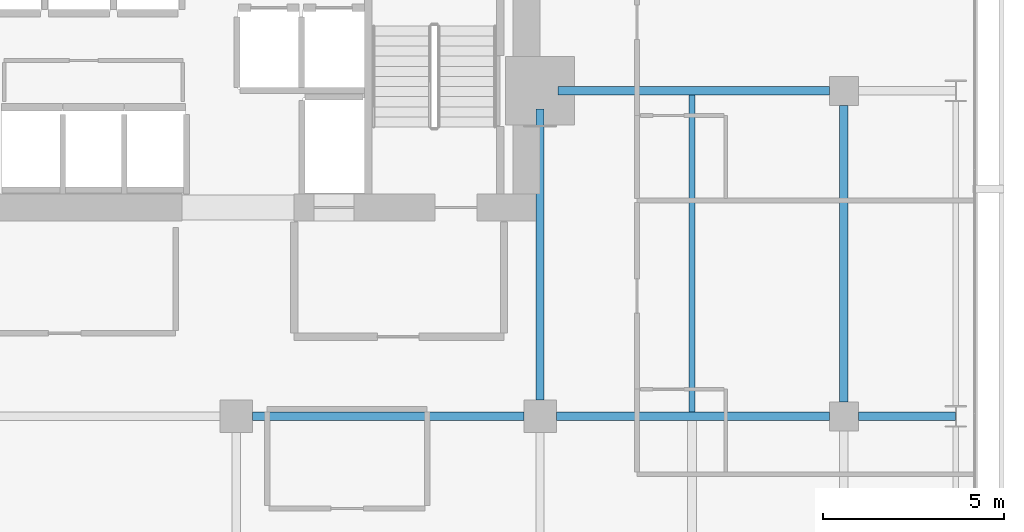
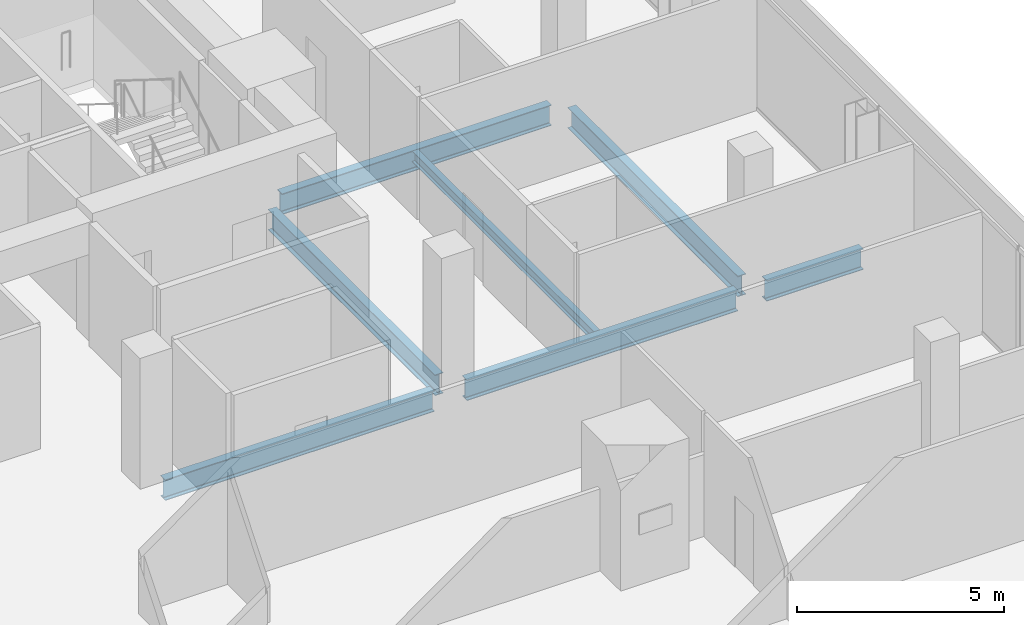
# One storey, part 23 of 34: 7 beams.
"""IFC4 building model written with IfcOpenShell, lengths in metres."""

import ifcopenshell
import ifcopenshell.guid

model = None  # the IFC model being written
_history = None  # IfcOwnerHistory: only IFC2X3 demands one
_inside = {}  # id of a spatial element -> (the spatial element, [elements in it])
_under = {}  # id of a project, library or spatial element -> (it, [spatial elements below it])
_declared = {}  # id of a project -> (the project, [libraries it declares])
_typed = {}  # id of a type object -> (the type object, [elements of that type])
_made_of = {}  # id of a material, layer set ... -> (it, [elements and type objects made of it])


def new_model(schema):
    """Start an empty IFC model of exactly this schema.

    Asked for "IFC4X3", IfcOpenShell would pick the latest addendum, in which some entities
    have other attributes; the version numbers below select the first issue.
    IFC2X3 requires an IfcOwnerHistory on every rooted entity: one is made here for all.
    """
    global model, _history
    if schema == "IFC4X3":
        model = ifcopenshell.file(schema_version=(4, 3, 0, 0))
    else:
        model = ifcopenshell.file(schema=schema)
    _inside.clear()
    _under.clear()
    _declared.clear()
    _typed.clear()
    _made_of.clear()
    _history = None
    if model.schema == "IFC2X3":
        org = make("IfcOrganization", Name="unknown")
        user = make(
            "IfcPersonAndOrganization",
            ThePerson=make("IfcPerson", FamilyName="unknown"),
            TheOrganization=org,
        )
        app = make(
            "IfcApplication",
            ApplicationDeveloper=org,
            Version="unknown",
            ApplicationFullName="unknown",
            ApplicationIdentifier="unknown",
        )
        _history = make(
            "IfcOwnerHistory",
            OwningUser=user,
            OwningApplication=app,
            ChangeAction="ADDED",
            CreationDate=0,
        )
    return model


def make(cls, **values):
    """One entity of the class cls with the attributes given. An attribute that is None is left unset."""
    return model.create_entity(
        cls, **{name: value for name, value in values.items() if value is not None}
    )


def rooted(cls, **values):
    """An entity with a GlobalId (a new one), such as an element, a storey or a relation."""
    return make(cls, GlobalId=ifcopenshell.guid.new(), OwnerHistory=_history, **values)


def si_unit(unit_type, name, prefix=None):
    """IfcSIUnit, for example si_unit("LENGTHUNIT", "METRE", prefix="MILLI")."""
    return make("IfcSIUnit", UnitType=unit_type, Prefix=prefix, Name=name)


def assignment(units):
    """IfcUnitAssignment: the units of a project."""
    return None if units is None else make("IfcUnitAssignment", Units=units)


def point(xyz):
    """IfcCartesianPoint."""
    return None if xyz is None else make("IfcCartesianPoint", Coordinates=xyz)


def direction(xyz):
    """IfcDirection."""
    return None if xyz is None else make("IfcDirection", DirectionRatios=xyz)


def frame(location, z_axis=None, x_axis=None):
    """IfcAxis2Placement3D, a coordinate frame: its origin and axes. An axis left out is left unset."""
    return make(
        "IfcAxis2Placement3D",
        Location=point(location),
        Axis=direction(z_axis),
        RefDirection=direction(x_axis),
    )


def frame_2d(location, x_axis=None):
    """IfcAxis2Placement2D, a coordinate frame in the plane: its origin and x axis."""
    return make(
        "IfcAxis2Placement2D", Location=point(location), RefDirection=direction(x_axis)
    )


def origin():
    """The frame at (0, 0, 0) with its axes left unset."""
    return frame((0.0, 0.0, 0.0))


def origin_2d():
    """The frame at (0, 0) in the plane with its x axis left unset."""
    return frame_2d((0.0, 0.0))


def place(relative_to, where):
    """IfcLocalPlacement: puts the frame where relative to a parent placement (None: the world)."""
    return make(
        "IfcLocalPlacement", PlacementRelTo=relative_to, RelativePlacement=where
    )


def context(
    kind, dimensions, precision=None, world=None, true_north=None, identifier=None
):
    """IfcGeometricRepresentationContext, for example the 3D "Model" context."""
    return make(
        "IfcGeometricRepresentationContext",
        ContextIdentifier=identifier,
        ContextType=kind,
        CoordinateSpaceDimension=dimensions,
        Precision=precision,
        WorldCoordinateSystem=world,
        TrueNorth=true_north,
    )


def subcontext(parent, identifier, kind, view, scale=None):
    """IfcGeometricRepresentationSubContext, for example "Body" below "Model"."""
    return make(
        "IfcGeometricRepresentationSubContext",
        ContextIdentifier=identifier,
        ContextType=kind,
        ParentContext=parent,
        TargetScale=scale,
        TargetView=view,
    )


def project(units=None, contexts=None):
    """IfcProject with its units and contexts."""
    return rooted(
        "IfcProject",
        Name="project",
        RepresentationContexts=contexts,
        UnitsInContext=assignment(units),
    )


def spatial(cls, under=None, at=None, **own):
    """A site, building, storey or space (cls), placed at a placement, below another one or the project."""
    s = rooted(cls, ObjectPlacement=at, **own)
    if under is not None:
        _under.setdefault(under.id(), (under, []))[1].append(s)
    return s


def profile(cls, at=None, kind="AREA", **sizes):
    """A parametric profile (cls). Its sizes go by their IFC names, for example OverallWidth=200.0."""
    return make(cls, ProfileType=kind, Position=at, **sizes)


def i_section(**sizes):
    """IfcIShapeProfileDef."""
    return profile("IfcIShapeProfileDef", **sizes)


def extrude(swept, where, along, depth):
    """IfcExtrudedAreaSolid: the profile swept, set in the frame where, extruded along a direction by depth."""
    return make(
        "IfcExtrudedAreaSolid",
        SweptArea=swept,
        Position=where,
        ExtrudedDirection=direction(along),
        Depth=depth,
    )


def shape(context_of_items, identifier, shape_type, items):
    """IfcShapeRepresentation: the items that make up one representation, for example the "Body"."""
    return make(
        "IfcShapeRepresentation",
        ContextOfItems=context_of_items,
        RepresentationIdentifier=identifier,
        RepresentationType=shape_type,
        Items=items,
    )


def material(Name=None, Category=None):
    """IfcMaterial."""
    return make("IfcMaterial", Name=Name, Category=Category)


def material_profile(
    of_material, cross_section, Name=None, Category=None, Priority=None
):
    """IfcMaterialProfile: a cross section and its material."""
    return make(
        "IfcMaterialProfile",
        Name=Name,
        Material=of_material,
        Profile=cross_section,
        Priority=Priority,
        Category=Category,
    )


def profile_set(profiles, Name=None, composite=None):
    """IfcMaterialProfileSet."""
    return make(
        "IfcMaterialProfileSet",
        Name=Name,
        MaterialProfiles=profiles,
        CompositeProfile=composite,
    )


def made_of(thing, what):
    """Note that an element or type object is made of a material, layer set ...; save() writes the relation."""
    if what is not None:
        _made_of.setdefault(what.id(), (what, []))[1].append(thing)
    return thing


def type_object(cls, material=None, **own):
    """A type object (cls), such as IfcWallType, which elements share."""
    return made_of(rooted(cls, **own), material)


def element(
    cls,
    number,
    at=None,
    inside=None,
    cuts=None,
    type_object=None,
    material=None,
    context=None,
    identifier="Body",
    shape_type=None,
    held_by="IfcProductDefinitionShape",
    body=None,
    shapes=None,
    **own,
):
    """One element of the class cls, such as IfcWall. Its Tag is "e" and its number.

    at: its placement. inside: the storey or other place that contains it. cuts: it is an
    opening in that element (IfcRelVoidsElement). A single representation is given by context,
    identifier, shape_type and body (its items); several are given by shapes. held_by: the class
    of the entity that holds the representations. save() writes the other relations.
    """
    e = rooted(cls, Tag="e%d" % number, ObjectPlacement=at, **own)
    if body is not None:
        shapes = [shape(context, identifier, shape_type, body)]
    if shapes is not None:
        e.Representation = make(held_by, Representations=shapes)
    if inside is not None:
        _inside.setdefault(inside.id(), (inside, []))[1].append(e)
    if cuts is not None:
        rooted(
            "IfcRelVoidsElement", RelatingBuildingElement=cuts, RelatedOpeningElement=e
        )
    if type_object is not None:
        _typed.setdefault(type_object.id(), (type_object, []))[1].append(e)
    return made_of(e, material)


def aggregate(whole, parts):
    """IfcRelAggregates: a whole, such as a stair, and the parts it consists of."""
    return rooted("IfcRelAggregates", RelatingObject=whole, RelatedObjects=parts)


def save(model, path):
    """Write the relations noted so far, then the file.

    IfcRelAggregates (storeys below a building ...), IfcRelContainedInSpatialStructure (elements
    in a storey), IfcRelDefinesByType, IfcRelAssociatesMaterial and IfcRelDeclares: one each for
    every whole, place, type object, material and project.
    """
    for whole, parts in _under.values():
        aggregate(whole, parts)
    for where, things in _inside.values():
        rooted(
            "IfcRelContainedInSpatialStructure",
            RelatedElements=things,
            RelatingStructure=where,
        )
    for kind, things in _typed.values():
        rooted("IfcRelDefinesByType", RelatedObjects=things, RelatingType=kind)
    for what, things in _made_of.values():
        rooted("IfcRelAssociatesMaterial", RelatedObjects=things, RelatingMaterial=what)
    for by, libraries in _declared.values():
        rooted("IfcRelDeclares", RelatingContext=by, RelatedDefinitions=libraries)
    model.write(path)


model = new_model("IFC4")

# Units and contexts
model_context = context("Model", 3, precision=1e-05, world=origin(), true_north=direction((0.0, 1.0)))
body_context = subcontext(model_context, "Body", "Model", "MODEL_VIEW")
ifc_project = project(units=[si_unit("LENGTHUNIT", "METRE"), si_unit("AREAUNIT", "SQUARE_METRE"), si_unit("VOLUMEUNIT", "CUBIC_METRE"), si_unit("PLANEANGLEUNIT", "RADIAN"), si_unit("MASSUNIT", "GRAM", prefix="KILO")], contexts=[model_context])

# Site, building, storey
site_placement = place(None, origin())
site = spatial("IfcSite", under=ifc_project, at=site_placement, CompositionType="ELEMENT")
building_placement = place(site_placement, origin())
building = spatial("IfcBuilding", under=site, at=building_placement, Name="Maruvema Waterfront Hotel and Observation Tower", CompositionType="ELEMENT")
storey_placement = place(building_placement, frame((0.0, 0.0, 127.39990234375)))
storey = spatial("IfcBuildingStorey", under=building, at=storey_placement, Name="L30", CompositionType="ELEMENT", Elevation=127.39990234375)

# Beams
ifc_material_1 = material(Name="Steel ASTM A572 Grade 50", Category="steel")
ifc_material_profile_1 = material_profile(ifc_material_1, i_section(OverallWidth=0.22900390625, OverallDepth=0.612060546875, WebThickness=0.011962890625, FlangeThickness=0.01953125, FilletRadius=0.01806640625, at=origin_2d()), Name="W610x125.0")
ifc_profile_set_1 = profile_set([ifc_material_profile_1], Name="Steel ASTM A572 Grade 50")
beam_type_1 = type_object("IfcBeamType", Name="Primary Floor Girder W610x125.0", PredefinedType="BEAM", material=ifc_profile_set_1)
beam_1_placement = place(storey_placement, frame((42.449951171875, 36.0, -0.5458984375), z_axis=(1.0, 0.0, 0.0), x_axis=(0.0, 1.0, 0.0)))
element("IfcBeam", 1, at=beam_1_placement, inside=storey, type_object=beam_type_1, Name="L30 Floor Girder EW-27", PredefinedType="BEAM", context=body_context, shape_type="SweptSolid", body=[
    extrude(i_section(OverallWidth=0.22900390625, OverallDepth=0.612060546875, WebThickness=0.011962890625, FlangeThickness=0.01953125, FilletRadius=0.01806640625, at=origin_2d()), origin(), (0.0, 0.0, 1.0), 7.5),
])
beam_2_placement = place(storey_placement, frame((50.85009765625, 36.0, -0.5458984375), z_axis=(1.0, 0.0, 0.0), x_axis=(0.0, 1.0, 0.0)))
element("IfcBeam", 2, at=beam_2_placement, inside=storey, type_object=beam_type_1, Name="L30 Floor Girder EW-28", PredefinedType="BEAM", context=body_context, shape_type="SweptSolid", body=[
    extrude(i_section(OverallWidth=0.22900390625, OverallDepth=0.612060546875, WebThickness=0.011962890625, FlangeThickness=0.01953125, FilletRadius=0.01806640625, at=origin_2d()), origin(), (0.0, 0.0, 1.0), 7.5498046875),
])
beam_3_placement = place(storey_placement, frame((59.199951171875, 36.0, -0.5458984375), z_axis=(1.0, 0.0, 0.0), x_axis=(0.0, 1.0, 0.0)))
element("IfcBeam", 3, at=beam_3_placement, inside=storey, type_object=beam_type_1, Name="L30 Floor Girder EW-29", PredefinedType="BEAM", context=body_context, shape_type="SweptSolid", body=[
    extrude(i_section(OverallWidth=0.22900390625, OverallDepth=0.612060546875, WebThickness=0.011962890625, FlangeThickness=0.01953125, FilletRadius=0.01806640625, at=origin_2d()), origin(), (0.0, 0.0, 1.0), 2.6875),
])
beam_4_placement = place(storey_placement, frame((50.89990234375, 45.0, -0.5458984375), z_axis=(1.0, 0.0, 0.0), x_axis=(0.0, 1.0, 0.0)))
element("IfcBeam", 4, at=beam_4_placement, inside=storey, type_object=beam_type_1, Name="L30 Floor Girder EW-32", PredefinedType="BEAM", context=body_context, shape_type="SweptSolid", body=[
    extrude(i_section(OverallWidth=0.22900390625, OverallDepth=0.612060546875, WebThickness=0.011962890625, FlangeThickness=0.01953125, FilletRadius=0.01806640625, at=origin_2d()), origin(), (0.0, 0.0, 1.0), 7.5),
])
beam_5_placement = place(storey_placement, frame((50.39990234375, 36.449951171875, -0.5458984375), z_axis=(0.0, 1.0, 0.0), x_axis=(-1.0, 0.0, 0.0)))
element("IfcBeam", 5, at=beam_5_placement, inside=storey, type_object=beam_type_1, Name="L30 Floor Girder NS-24", PredefinedType="BEAM", context=body_context, shape_type="SweptSolid", body=[
    extrude(i_section(OverallWidth=0.22900390625, OverallDepth=0.612060546875, WebThickness=0.011962890625, FlangeThickness=0.01953125, FilletRadius=0.01806640625, at=origin_2d()), origin(), (0.0, 0.0, 1.0), 8.050048828125),
])
beam_6_placement = place(storey_placement, frame((58.800048828125, 36.39990234375, -0.5458984375), z_axis=(0.0, 1.0, 0.0), x_axis=(-1.0, 0.0, 0.0)))
element("IfcBeam", 6, at=beam_6_placement, inside=storey, type_object=beam_type_1, Name="L30 Floor Girder NS-28", PredefinedType="BEAM", context=body_context, shape_type="SweptSolid", body=[
    extrude(i_section(OverallWidth=0.22900390625, OverallDepth=0.612060546875, WebThickness=0.011962890625, FlangeThickness=0.01953125, FilletRadius=0.01806640625, at=origin_2d()), origin(), (0.0, 0.0, 1.0), 8.2001953125),
])
ifc_material_2 = material(Name="Steel ASTM A572 Grade 50", Category="steel")
ifc_material_profile_2 = material_profile(ifc_material_2, i_section(OverallWidth=0.1669921875, OverallDepth=0.31689453125, WebThickness=0.007568359375, FlangeThickness=0.01318359375, FilletRadius=0.012939453125, at=origin_2d()), Name="W310x52.0")
ifc_profile_set_2 = profile_set([ifc_material_profile_2], Name="Steel ASTM A572 Grade 50")
beam_type_2 = type_object("IfcBeamType", Name="Secondary Floor Joist W310x52.0", PredefinedType="JOIST", material=ifc_profile_set_2)
beam_7_placement = place(storey_placement, frame((54.60009765625, 36.114501953125, -0.3984375), z_axis=(0.0, 1.0, 0.0), x_axis=(-1.0, 0.0, 0.0)))
element("IfcBeam", 7, at=beam_7_placement, inside=storey, type_object=beam_type_2, Name="L30 Secondary Floor Joist JS-14", PredefinedType="JOIST", context=body_context, shape_type="SweptSolid", body=[
    extrude(i_section(OverallWidth=0.1669921875, OverallDepth=0.31689453125, WebThickness=0.007568359375, FlangeThickness=0.01318359375, FilletRadius=0.012939453125, at=origin_2d()), origin(), (0.0, 0.0, 1.0), 8.77099609375),
])

save(model, "model.ifc")
